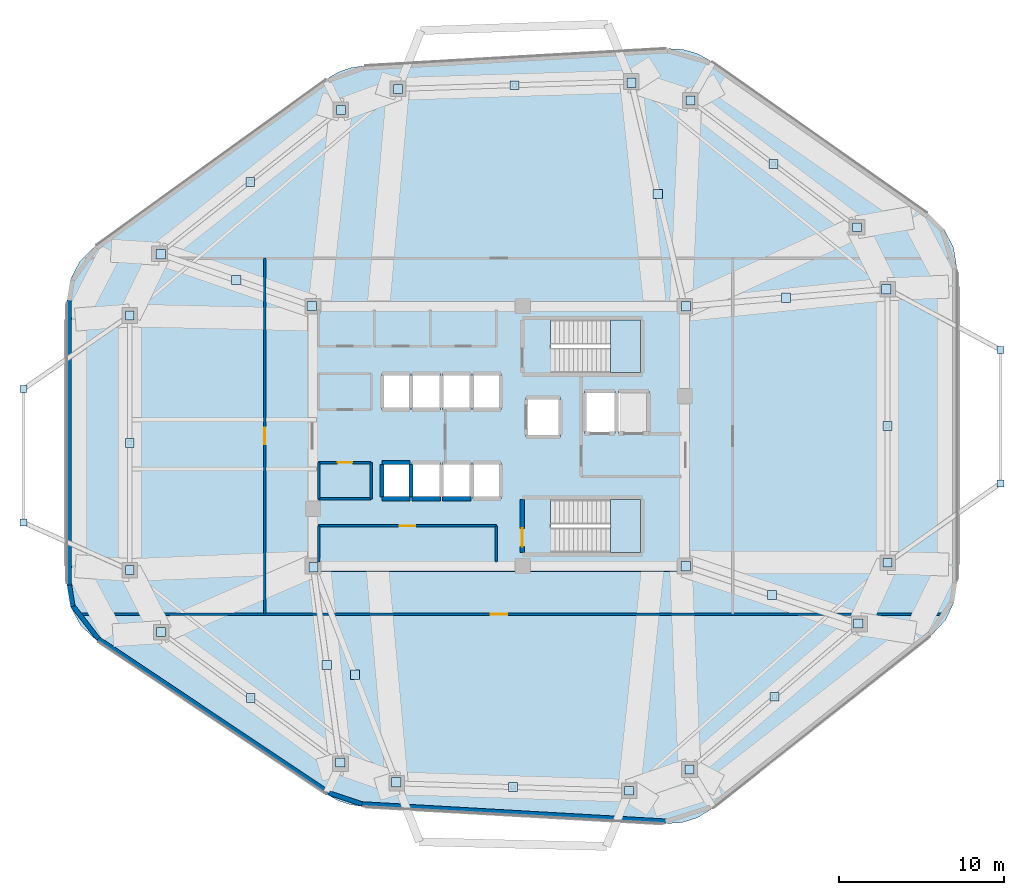
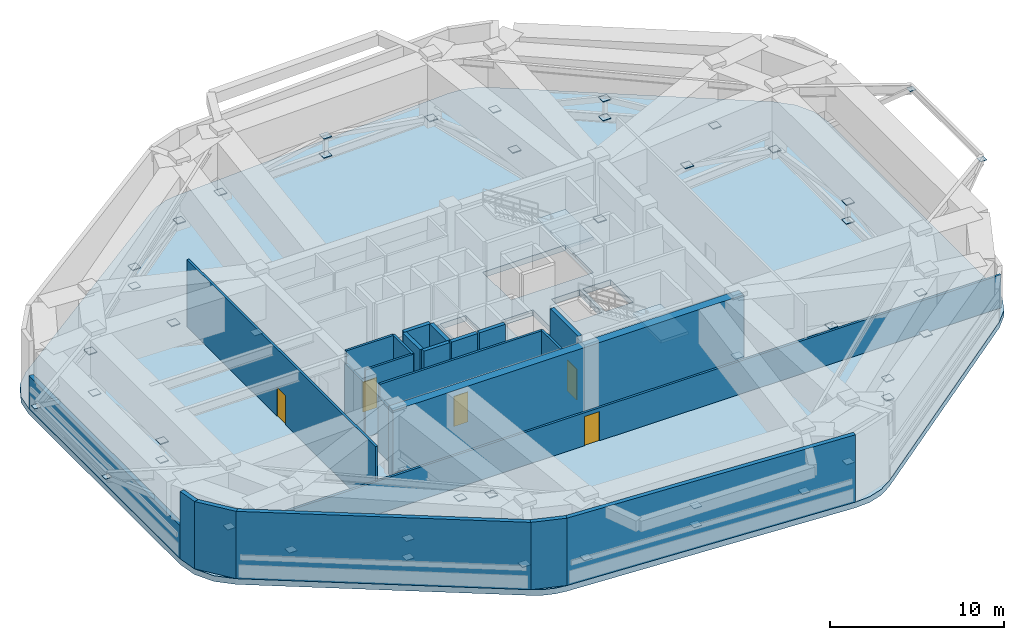
# One storey, part 7 of 13: 46 plates, 23 walls, 5 doors, 3 slabs, 5 openings, 2 elements without a shape of their own.
"""IFC4 building model written with IfcOpenShell, lengths in metres."""

from ifc_helpers import new_model, si_unit, direction, frame, frame_2d, origin, origin_2d, place, context, subcontext, project, spatial, polyline, rectangle, outline, extrude, material, layer, layer_set, type_object, element, fill, aggregate, save


model = new_model("IFC4")

# Units and contexts
model_context = context("Model", 3, precision=1e-05, world=origin(), true_north=direction((0.0, 1.0)))
body_context = subcontext(model_context, "Body", "Model", "MODEL_VIEW")
ifc_project = project(units=[si_unit("LENGTHUNIT", "METRE"), si_unit("AREAUNIT", "SQUARE_METRE"), si_unit("VOLUMEUNIT", "CUBIC_METRE"), si_unit("PLANEANGLEUNIT", "RADIAN"), si_unit("MASSUNIT", "GRAM", prefix="KILO")], contexts=[model_context])

# Site, building, storey
site_placement = place(None, origin())
site = spatial("IfcSite", under=ifc_project, at=site_placement, CompositionType="ELEMENT")
building_placement = place(site_placement, origin())
building = spatial("IfcBuilding", under=site, at=building_placement, Name="Zulverin Broadcast Headquarters", CompositionType="ELEMENT")
storey_placement = place(building_placement, frame((0.0, 0.0, 220.0)))
storey = spatial("IfcBuildingStorey", under=building, at=storey_placement, Name="L56", CompositionType="ELEMENT", Elevation=220.0)

# Plates
ifc_material_1 = material(Name="Structural steel S355JR", Category="steel")
ifc_layer_1 = layer(ifc_material_1, 0.044921875, Name="Structural steel S355JR", Category="steel")
ifc_layer_set_1 = layer_set([ifc_layer_1], Name="Structural steel S355JR")
plate_type_1 = type_object("IfcPlateType", Name="PLT-NODE-BN1", PredefinedType="SHEET", material=ifc_layer_set_1)
for number, where, z_axis, x_axis, name in (
    (1, (37.859130859375, 3.90380859375, 0.32763671875), (0.0, 0.0, 1.0), (1.0, 0.0, 0.0), "BN-1 Belt Truss Node Plate L56-01B"),
    (2, (37.859130859375, 3.90380859375, 1.657470703125), (0.0, 0.0, 1.0), (1.0, 0.0, 0.0), "BN-1 Belt Truss Node Plate L56-01T"),
    (3, (44.909912109375, 3.68017578125, 0.32763671875), (0.0, 0.0, 1.0), (1.0, 0.0, 0.0), "BN-1 Belt Truss Node Plate L56-01R"),
    (4, (48.569580078125, 4.967041015625, 0.32763671875), (0.0, 0.0, 1.0), (1.0, 0.0, 0.0), "BN-1 Belt Truss Node Plate L56-02L"),
    (5, (53.728271484375, 9.382568359375, 0.32763671875), (0.0, 0.0, 1.0), (1.0, 0.0, 0.0), "BN-1 Belt Truss Node Plate L56-02B"),
    (6, (53.728271484375, 9.382568359375, 1.657470703125), (0.0, 0.0, 1.0), (1.0, 0.0, 0.0), "BN-1 Belt Truss Node Plate L56-02T"),
    (7, (60.60009765625, 17.519287109375, 0.32763671875), (0.0, 0.0, 1.0), (1.0, 0.0, 0.0), "BN-1 Belt Truss Node Plate L56-03L"),
    (8, (60.60009765625, 25.8203125, 0.32763671875), (0.0, 0.0, 1.0), (1.0, 0.0, 0.0), "BN-1 Belt Truss Node Plate L56-03B"),
    (9, (60.60009765625, 25.8203125, 1.657470703125), (0.0, 0.0, 1.0), (1.0, 0.0, 0.0), "BN-1 Belt Truss Node Plate L56-03T"),
    (10, (58.738037109375, 37.877685546875, 0.32763671875), (0.0, 0.0, 1.0), (1.0, 0.0, 0.0), "BN-1 Belt Truss Node Plate L56-04L"),
    (11, (53.6796875, 41.726318359375, 0.32763671875), (0.0, 0.0, 1.0), (1.0, 0.0, 0.0), "BN-1 Belt Truss Node Plate L56-04B"),
    (12, (53.6796875, 41.726318359375, 1.657470703125), (0.0, 0.0, 1.0), (1.0, 0.0, 0.0), "BN-1 Belt Truss Node Plate L56-04T"),
    (13, (48.62158203125, 45.574951171875, 0.32763671875), (0.0, 0.0, 1.0), (1.0, 0.0, 0.0), "BN-1 Belt Truss Node Plate L56-04R"),
    (14, (37.954833984375, 46.499267578125, 0.32763671875), (0.0, 0.0, 1.0), (1.0, 0.0, 0.0), "BN-1 Belt Truss Node Plate L56-05B"),
    (15, (37.954833984375, 46.499267578125, 1.657470703125), (0.0, 0.0, 1.0), (1.0, 0.0, 0.0), "BN-1 Belt Truss Node Plate L56-05T"),
    (16, (30.882080078125, 46.27490234375, 0.32763671875), (0.0, 0.0, 1.0), (1.0, 0.0, 0.0), "BN-1 Belt Truss Node Plate L56-05R"),
    (17, (27.416259765625, 45.00439453125, 0.32763671875), (0.0, 0.0, 1.0), (1.0, 0.0, 0.0), "BN-1 Belt Truss Node Plate L56-06L"),
    (18, (21.91259765625, 40.63623046875, 0.32763671875), (0.0, 0.0, 1.0), (1.0, 0.0, 0.0), "BN-1 Belt Truss Node Plate L56-06B"),
    (19, (21.91259765625, 40.63623046875, 1.657470703125), (0.0, 0.0, 1.0), (1.0, 0.0, 0.0), "BN-1 Belt Truss Node Plate L56-06T"),
    (20, (14.60009765625, 32.523193359375, 0.32763671875), (0.0, 0.0, 1.0), (1.0, 0.0, 0.0), "BN-1 Belt Truss Node Plate L56-07L"),
    (21, (14.60009765625, 24.797607421875, 0.32763671875), (0.0, 0.0, 1.0), (1.0, 0.0, 0.0), "BN-1 Belt Truss Node Plate L56-07B"),
    (22, (14.60009765625, 24.797607421875, 1.657470703125), (0.0, 0.0, 1.0), (1.0, 0.0, 0.0), "BN-1 Belt Truss Node Plate L56-07T"),
    (23, (14.60009765625, 17.072021484375, 0.32763671875), (0.0, 0.0, 1.0), (1.0, 0.0, 0.0), "BN-1 Belt Truss Node Plate L56-07R"),
    (24, (16.50537109375, 13.306884765625, 0.32763671875), (0.0, 0.0, 1.0), (1.0, 0.0, 0.0), "BN-1 Belt Truss Node Plate L56-08L"),
    (25, (21.9462890625, 9.30859375, 0.32763671875), (0.0, 0.0, 1.0), (1.0, 0.0, 0.0), "BN-1 Belt Truss Node Plate L56-08B"),
    (26, (21.9462890625, 9.30859375, 1.657470703125), (0.0, 0.0, 1.0), (1.0, 0.0, 0.0), "BN-1 Belt Truss Node Plate L56-08T"),
):
    element("IfcPlate", number, at=place(storey_placement, frame(where, z_axis=z_axis, x_axis=x_axis)), inside=storey, type_object=plate_type_1, Name=name, PredefinedType="SHEET", context=body_context, shape_type="SweptSolid", body=[
        extrude(rectangle(XDim=0.5400390625, YDim=0.5400390625, at=origin_2d()), origin(), (0.0, 0.0, 1.0), 0.044921875),
    ])
ifc_material_2 = material(Name="Structural steel S460M", Category="steel")
ifc_layer_2 = layer(ifc_material_2, 0.044921875, Name="Structural steel S460M", Category="steel")
ifc_layer_set_2 = layer_set([ifc_layer_2], Name="Structural steel S460M")
plate_type_2 = type_object("IfcPlateType", Name="PLT-NODE-ON1", PredefinedType="SHEET", material=ifc_layer_set_2)
for number, where, z_axis, x_axis, name in (
    (27, (25.75390625, 17.250244140625, 0.32763671875), (0.0, 0.0, 1.0), (1.0, 0.0, 0.0), "ON-1 Outrigger Truss Node Plate L56-01A"),
    (28, (28.266845703125, 10.726318359375, 1.657470703125), (0.0, 0.0, 1.0), (1.0, 0.0, 0.0), "ON-1 Outrigger Truss Node Plate L56-01M"),
    (29, (30.77978515625, 4.2021484375, 0.32763671875), (0.0, 0.0, 1.0), (1.0, 0.0, 0.0), "ON-1 Outrigger Truss Node Plate L56-01B"),
    (30, (48.350830078125, 17.2998046875, 0.32763671875), (0.0, 0.0, 1.0), (1.0, 0.0, 0.0), "ON-1 Outrigger Truss Node Plate L56-02A"),
    (31, (53.5810546875, 15.5615234375, 1.657470703125), (0.0, 0.0, 1.0), (1.0, 0.0, 0.0), "ON-1 Outrigger Truss Node Plate L56-02M"),
    (32, (58.81103515625, 13.823486328125, 0.32763671875), (0.0, 0.0, 1.0), (1.0, 0.0, 0.0), "ON-1 Outrigger Truss Node Plate L56-02B"),
    (33, (48.354736328125, 33.081787109375, 0.32763671875), (0.0, 0.0, 1.0), (1.0, 0.0, 0.0), "ON-1 Outrigger Truss Node Plate L56-03A"),
    (34, (54.4375, 33.598388671875, 1.657470703125), (0.0, 0.0, 1.0), (1.0, 0.0, 0.0), "ON-1 Outrigger Truss Node Plate L56-03M"),
    (35, (60.520263671875, 34.11474609375, 0.32763671875), (0.0, 0.0, 1.0), (1.0, 0.0, 0.0), "ON-1 Outrigger Truss Node Plate L56-03B"),
    (36, (46.6513671875, 39.8994140625, 1.657470703125), (0.0, 0.0, 1.0), (1.0, 0.0, 0.0), "ON-1 Outrigger Truss Node Plate L56-04M"),
    (37, (45.0458984375, 46.645751953125, 0.32763671875), (0.0, 0.0, 1.0), (1.0, 0.0, 0.0), "ON-1 Outrigger Truss Node Plate L56-04B"),
    (38, (25.6494140625, 33.100830078125, 0.32763671875), (0.0, 0.0, 1.0), (1.0, 0.0, 0.0), "ON-1 Outrigger Truss Node Plate L56-05A"),
    (39, (21.06689453125, 34.67138671875, 1.657470703125), (0.0, 0.0, 1.0), (1.0, 0.0, 0.0), "ON-1 Outrigger Truss Node Plate L56-05M"),
    (40, (16.484619140625, 36.2421875, 0.32763671875), (0.0, 0.0, 1.0), (1.0, 0.0, 0.0), "ON-1 Outrigger Truss Node Plate L56-05B"),
    (41, (26.55615234375, 11.3173828125, 1.657470703125), (0.0, 0.0, 1.0), (1.0, 0.0, 0.0), "ON-1 Outrigger Truss Node Plate L56-06M"),
    (42, (27.376220703125, 5.38916015625, 0.32763671875), (0.0, 0.0, 1.0), (1.0, 0.0, 0.0), "ON-1 Outrigger Truss Node Plate L56-06B"),
):
    element("IfcPlate", number, at=place(storey_placement, frame(where, z_axis=z_axis, x_axis=x_axis)), inside=storey, type_object=plate_type_2, Name=name, PredefinedType="SHEET", context=body_context, shape_type="SweptSolid", body=[
        extrude(rectangle(XDim=0.56005859375, YDim=0.56005859375, at=origin_2d()), origin(), (0.0, 0.0, 1.0), 0.044921875),
    ])
ifc_layer_3 = layer(ifc_material_1, 0.02490234375, Name="Structural steel S355JR", Category="steel")
ifc_layer_set_3 = layer_set([ifc_layer_3], Name="Structural steel S355JR")
plate_type_3 = type_object("IfcPlateType", Name="PLT-NODE-SBN1", PredefinedType="SHEET", material=ifc_layer_set_3)
for number, where, z_axis, x_axis, name in (
    (43, (67.449951171875, 22.340087890625, 4.34765625), (0.0, 0.0, 1.0), (1.0, 0.0, 0.0), "SBN-1 Studio Box Base Gusset Plate L56-SBOX_SKY2_E-1"),
    (44, (67.449951171875, 30.43994140625, 4.34765625), (0.0, 0.0, 1.0), (1.0, 0.0, 0.0), "SBN-1 Studio Box Base Gusset Plate L56-SBOX_SKY2_E-2"),
    (45, (8.14990234375, 19.9599609375, 4.34765625), (0.0, 0.0, 1.0), (1.0, 0.0, 0.0), "SBN-1 Studio Box Base Gusset Plate L56-SBOX_SKY2_W-1"),
    (46, (8.14990234375, 28.06005859375, 4.34765625), (0.0, 0.0, 1.0), (1.0, 0.0, 0.0), "SBN-1 Studio Box Base Gusset Plate L56-SBOX_SKY2_W-2"),
):
    element("IfcPlate", number, at=place(storey_placement, frame(where, z_axis=z_axis, x_axis=x_axis)), inside=storey, type_object=plate_type_3, Name=name, PredefinedType="SHEET", context=body_context, shape_type="SweptSolid", body=[
        extrude(rectangle(XDim=0.419921875, YDim=0.419921875, at=origin_2d()), origin(), (0.0, 0.0, 1.0), 0.02490234375),
    ])

# Stair, slab
ifc_material_3 = material(Name="Concrete C40/50", Category="concrete")
stair_type = type_object("IfcStairType", Name="ST-CORE-1500", PredefinedType="HALF_TURN_STAIR", material=ifc_material_3)
stair_1_placement = place(storey_placement, origin())
stair_1 = element("IfcStair", 47, at=stair_1_placement, inside=storey, type_object=stair_type, Name="L56 Core Exit Stair ST-1", PredefinedType="HALF_TURN_STAIR")
ifc_layer_4 = layer(ifc_material_3, 0.199951171875, Name="Concrete C40/50", Category="concrete")
ifc_layer_set_4 = layer_set([ifc_layer_4], Name="Concrete C40/50")
slab_type_1 = type_object("IfcSlabType", Name="SLB-ST-LND200", PredefinedType="LANDING", material=ifc_layer_set_4)
slab_1_placement = place(storey_placement, frame((0.0, 0.0, 2.300048828125)))
slab_1 = element("IfcSlab", 48, at=slab_1_placement, type_object=slab_type_1, Name="ST-1 landing 1", PredefinedType="LANDING", context=body_context, shape_type="SweptSolid", body=[
    extrude(outline(polyline([(43.77001953125, 29.050048828125), (45.60009765625, 29.050048828125), (45.60009765625, 32.25), (43.77001953125, 32.25), (43.77001953125, 29.050048828125)])), origin(), (0.0, 0.0, 1.0), 0.199951171875),
])
aggregate(stair_1, [slab_1])

stair_2_placement = place(storey_placement, origin())
stair_2 = element("IfcStair", 49, at=stair_2_placement, inside=storey, type_object=stair_type, Name="L56 Core Exit Stair ST-2", PredefinedType="HALF_TURN_STAIR")
slab_2_placement = place(storey_placement, frame((0.0, 0.0, 2.300048828125)))
slab_2 = element("IfcSlab", 50, at=slab_2_placement, type_object=slab_type_1, Name="ST-2 landing 1", PredefinedType="LANDING", context=body_context, shape_type="SweptSolid", body=[
    extrude(outline(polyline([(43.77001953125, 18.14990234375), (45.60009765625, 18.14990234375), (45.60009765625, 21.35009765625), (43.77001953125, 21.35009765625), (43.77001953125, 18.14990234375)])), origin(), (0.0, 0.0, 1.0), 0.199951171875),
])
aggregate(stair_2, [slab_2])

# Slab
ifc_material_4 = material(Name="Concrete C50/60", Category="concrete")
ifc_layer_5 = layer(ifc_material_4, 0.39990234375, Name="Concrete C50/60", Category="concrete")
ifc_layer_set_5 = layer_set([ifc_layer_5], Name="Concrete C50/60")
slab_type_2 = type_object("IfcSlabType", Name="SLB-TRN-400", PredefinedType="FLOOR", material=ifc_layer_set_5)
slab_3_placement = place(storey_placement, frame((0.0, 0.0, -0.39990234375)))
element("IfcSlab", 51, at=slab_3_placement, inside=storey, type_object=slab_type_2, Name="L56 Main Structural Floor Slab", PredefinedType="FLOOR", context=body_context, shape_type="SweptSolid", body=[
    extrude(outline(polyline([(26.66162109375, 3.405517578125), (27.283203125, 3.065673828125), (27.955078125, 2.8408203125), (28.65625, 2.738037109375), (47.159912109375, 1.686279296875), (48.123046875, 1.748046875), (49.04345703125, 2.038818359375), (49.8671875, 2.54150390625), (63.2802734375, 13.142822265625), (64.098388671875, 14.018310546875), (64.62060546875, 15.096435546875), (64.800048828125, 16.281005859375), (64.800048828125, 35.393798828125), (64.59765625, 36.64990234375), (64.010986328125, 37.779052734375), (63.099609375, 38.666748046875), (49.81396484375, 48.00048828125), (49.032958984375, 48.427978515625), (48.176513671875, 48.67236328125), (47.28759765625, 48.72119140625), (28.73388671875, 47.666259765625), (27.986328125, 47.552001953125), (27.2734375, 47.29931640625), (26.620849609375, 46.916748046875), (12.459716796875, 36.701416015625), (11.5693359375, 35.81591796875), (10.997314453125, 34.69775390625), (10.800048828125, 33.457275390625), (10.800048828125, 16.138427734375), (11.012451171875, 14.8525390625), (11.626953125, 13.703125), (12.578369140625, 12.812255859375), (26.66162109375, 3.405517578125)]), holes=[polyline([(40.155029296875, 30.75), (40.130126953125, 30.75), (40.130126953125, 32.25), (45.60009765625, 32.25), (45.60009765625, 29.050048828125), (40.155029296875, 29.050048828125), (40.155029296875, 30.75)]), polyline([(40.155029296875, 19.85009765625), (40.130126953125, 19.85009765625), (40.130126953125, 21.35009765625), (45.60009765625, 21.35009765625), (45.60009765625, 18.14990234375), (40.155029296875, 18.14990234375), (40.155029296875, 19.85009765625)]), polyline([(29.89990234375, 21.39990234375), (31.6201171875, 21.39990234375), (31.6201171875, 23.60009765625), (29.89990234375, 23.60009765625), (29.89990234375, 21.39990234375)]), polyline([(31.739990234375, 21.39990234375), (33.4599609375, 21.39990234375), (33.4599609375, 23.60009765625), (31.739990234375, 23.60009765625), (31.739990234375, 21.39990234375)]), polyline([(33.580078125, 21.39990234375), (35.300048828125, 21.39990234375), (35.300048828125, 23.60009765625), (33.580078125, 23.60009765625), (33.580078125, 21.39990234375)]), polyline([(35.419921875, 21.39990234375), (37.139892578125, 21.39990234375), (37.139892578125, 23.60009765625), (35.419921875, 23.60009765625), (35.419921875, 21.39990234375)]), polyline([(29.89990234375, 26.800048828125), (31.6201171875, 26.800048828125), (31.6201171875, 29.0), (29.89990234375, 29.0), (29.89990234375, 26.800048828125)]), polyline([(31.739990234375, 26.800048828125), (33.4599609375, 26.800048828125), (33.4599609375, 29.0), (31.739990234375, 29.0), (31.739990234375, 26.800048828125)]), polyline([(33.580078125, 26.800048828125), (35.300048828125, 26.800048828125), (35.300048828125, 29.0), (33.580078125, 29.0), (33.580078125, 26.800048828125)]), polyline([(35.419921875, 26.800048828125), (37.139892578125, 26.800048828125), (37.139892578125, 29.0), (35.419921875, 29.0), (35.419921875, 26.800048828125)]), polyline([(42.199951171875, 25.35009765625), (44.050048828125, 25.35009765625), (44.050048828125, 27.949951171875), (42.199951171875, 27.949951171875), (42.199951171875, 25.35009765625)]), polyline([(44.25, 25.35009765625), (46.10009765625, 25.35009765625), (46.10009765625, 27.949951171875), (44.25, 27.949951171875), (44.25, 25.35009765625)]), polyline([(38.64990234375, 25.14990234375), (40.75, 25.14990234375), (40.75, 27.550048828125), (38.64990234375, 27.550048828125), (38.64990234375, 25.14990234375)])]), origin(), (0.0, 0.0, 1.0), 0.39990234375),
])

# Walls
ifc_material_5 = material(Name="Concrete C60/75", Category="concrete")
ifc_layer_6 = layer(ifc_material_5, 0.550048828125, Name="Concrete C60/75", Category="concrete")
ifc_layer_set_6 = layer_set([ifc_layer_6], Name="Concrete C60/75")
wall_type_1 = type_object("IfcWallType", Name="WL-CORE-550", PredefinedType="SHEAR", material=ifc_layer_set_6)
wall_1_placement = place(storey_placement, frame((25.39990234375, 17.27490234375, 0.0), z_axis=(0.0, 0.0, 1.0), x_axis=(1.0, 0.0, 0.0)))
element("IfcWall", 52, at=wall_1_placement, inside=storey, type_object=wall_type_1, Name="L56 Core South Shear Wall", PredefinedType="SHEAR", context=body_context, shape_type="SweptSolid", body=[
    extrude(rectangle(XDim=23.2001953125, YDim=0.550048828125, at=frame_2d((11.60009765625, 0.0))), origin(), (0.0, 0.0, 1.0), 4.7099609375),
])
ifc_material_6 = material(Name="Insulated pale-metal clad concrete spandrel C40/50", Category="concrete")
ifc_layer_7 = layer(ifc_material_6, 0.280029296875, Name="Insulated pale-metal clad concrete spandrel C40/50", Category="concrete")
ifc_layer_set_7 = layer_set([ifc_layer_7], Name="Insulated pale-metal clad concrete spandrel C40/50")
wall_type_2 = type_object("IfcWallType", Name="WL-EXT-280", PredefinedType="STANDARD", material=ifc_layer_set_7)
wall_2_placement = place(storey_placement, frame((28.664306640625, 2.8779296875, 0.0), z_axis=(0.0, 0.0, 1.0), x_axis=(0.998387734977, -0.056762052882, 0.0)))
element("IfcWall", 53, at=wall_2_placement, inside=storey, type_object=wall_type_2, Name="L56 Pale-Metal Clad Spandrel Wall 1", PredefinedType="STANDARD", context=body_context, shape_type="SweptSolid", body=[
    extrude(rectangle(XDim=18.533447265625, YDim=0.280029296875, at=frame_2d((9.2666015625, 0.0))), origin(), (0.0, 0.0, 1.0), 4.7099609375),
])
wall_3_placement = place(storey_placement, frame((10.93994140625, 33.457275390625, 0.0), z_axis=(0.0, 0.0, 1.0), x_axis=(0.0, -1.0, 0.0)))
element("IfcWall", 54, at=wall_3_placement, inside=storey, type_object=wall_type_2, Name="L56 Pale-Metal Clad Spandrel Wall 7", PredefinedType="STANDARD", context=body_context, shape_type="SweptSolid", body=[
    extrude(rectangle(XDim=17.31884765625, YDim=0.280029296875, at=frame_2d((8.659423828125, 0.0))), origin(), (0.0, 0.0, 1.0), 2.31005859375),
])
wall_4_placement = place(storey_placement, frame((12.656005859375, 12.9287109375, 0.0), z_axis=(0.0, 0.0, 1.0), x_axis=(0.83155985002, -0.555435158983, 0.0)))
element("IfcWall", 55, at=wall_4_placement, inside=storey, type_object=wall_type_2, Name="L56 Pale-Metal Clad Spandrel Wall 8", PredefinedType="STANDARD", context=body_context, shape_type="SweptSolid", body=[
    extrude(rectangle(XDim=16.936279296875, YDim=0.280029296875, at=frame_2d((8.46826171875, 0.0))), origin(), (0.0, 0.0, 1.0), 4.7099609375),
])
wall_5_placement = place(storey_placement, frame((10.93798828125, 16.161376953125, 0.0), z_axis=(0.0, 0.0, 1.0), x_axis=(0.162940994575, -0.986635815429, 0.0)))
element("IfcWall", 56, at=wall_5_placement, inside=storey, type_object=wall_type_2, Name="L56 Wind-Shaped Corner Spandrel Wall 7-1", PredefinedType="STANDARD", context=body_context, shape_type="SweptSolid", body=[
    extrude(rectangle(XDim=1.303466796875, YDim=0.280029296875, at=frame_2d((0.65185546875, 0.0))), origin(), (0.0, 0.0, 1.0), 4.7099609375),
])
wall_6_placement = place(storey_placement, frame((11.12353515625, 14.937744140625, 0.0), z_axis=(0.0, 0.0, 1.0), x_axis=(0.608847960063, -0.79328693518, 0.0)))
element("IfcWall", 57, at=wall_6_placement, inside=storey, type_object=wall_type_2, Name="L56 Wind-Shaped Corner Spandrel Wall 7-2", PredefinedType="STANDARD", context=body_context, shape_type="SweptSolid", body=[
    extrude(rectangle(XDim=2.572021484375, YDim=0.280029296875, at=frame_2d((1.2861328125, 0.0))), origin(), (0.0, 0.0, 1.0), 4.7099609375),
])
wall_7_placement = place(storey_placement, frame((26.7060546875, 3.5380859375, 0.0), z_axis=(0.0, 0.0, 1.0), x_axis=(0.9483461383, -0.317237453608, 0.0)))
element("IfcWall", 58, at=wall_7_placement, inside=storey, type_object=wall_type_2, Name="L56 Wind-Shaped Corner Spandrel Wall 8-1", PredefinedType="STANDARD", context=body_context, shape_type="SweptSolid", body=[
    extrude(rectangle(XDim=2.103271484375, YDim=0.280029296875, at=frame_2d((1.0517578125, 0.0))), origin(), (0.0, 0.0, 1.0), 4.7099609375),
])

# Wall, opening, door
ifc_material_7 = material(Name="Fire-rated gypsum stud partition", Category="gypsum")
ifc_layer_8 = layer(ifc_material_7, 0.14990234375, Name="Fire-rated gypsum stud partition", Category="gypsum")
ifc_layer_set_8 = layer_set([ifc_layer_8], Name="Fire-rated gypsum stud partition")
wall_type_3 = type_object("IfcWallType", Name="WL-PART-150", PredefinedType="PARTITIONING", material=ifc_layer_set_8)
wall_8_placement = place(storey_placement, frame((26.070068359375, 19.75, 0.0), z_axis=(0.0, 0.0, 1.0), x_axis=(1.0, 0.0, 0.0)))
wall_8 = element("IfcWall", 59, at=wall_8_placement, inside=storey, type_object=wall_type_3, Name="L56 Core Female WC & Facilities Room Front Wall", PredefinedType="PARTITIONING", context=body_context, shape_type="SweptSolid", body=[
    extrude(rectangle(XDim=10.780029296875, YDim=0.14990234375, at=frame_2d((5.39013671875, 0.0))), origin(), (0.0, 0.0, 1.0), 4.7099609375),
])
opening_1_placement = place(wall_8_placement, frame((4.9150390625, 0.0, 0.0)))
opening_1 = element("IfcOpeningElement", 60, at=opening_1_placement, cuts=wall_8, Name="Opening D-L56-SC1", PredefinedType="OPENING", context=body_context, shape_type="SweptSolid", body=[
    extrude(rectangle(XDim=0.949951171875, YDim=2.10009765625, at=frame_2d((0.47509765625, 1.050048828125))), frame((0.0, 0.0849609375, 0.0), z_axis=(0.0, -1.0, 0.0), x_axis=(1.0, 0.0, 0.0)), (0.0, 0.0, 1.0), 0.169921875),
])
ifc_material_8 = material(Name="Fire-rated moisture-resistant laminate leaf", Category="wood")
door_type_1 = type_object("IfcDoorType", Name="DR-WC-950", OperationType="SINGLE_SWING_LEFT", PredefinedType="DOOR", material=ifc_material_8)
door_1_placement = place(opening_1_placement, origin())
door_1 = element("IfcDoor", 61, at=door_1_placement, inside=storey, type_object=door_type_1, Name="L56 Female WC & Facilities Room Door", OperationType="SINGLE_SWING_RIGHT", OverallHeight=2.10009765625, OverallWidth=0.949951171875, PredefinedType="DOOR", context=body_context, shape_type="SweptSolid", body=[
    extrude(rectangle(XDim=0.949951171875, YDim=2.10009765625, at=frame_2d((0.47509765625, 1.050048828125))), frame((0.0, 0.02490234375, 0.0), z_axis=(0.0, -1.0, 0.0), x_axis=(1.0, 0.0, 0.0)), (0.0, 0.0, 1.0), 0.050048828125),
])
fill(opening_1, door_1)

# Walls
wall_9_placement = place(storey_placement, frame((26.070068359375, 17.550048828125, 0.0), z_axis=(0.0, 0.0, 1.0), x_axis=(0.0, 1.0, 0.0)))
element("IfcWall", 62, at=wall_9_placement, inside=storey, type_object=wall_type_3, Name="L56 Core Female WC & Facilities Room West Wall", PredefinedType="PARTITIONING", context=body_context, shape_type="SweptSolid", body=[
    extrude(rectangle(XDim=2.199951171875, YDim=0.14990234375, at=frame_2d((1.10009765625, 0.0))), origin(), (0.0, 0.0, 1.0), 3.81005859375),
])
wall_10_placement = place(storey_placement, frame((36.85009765625, 17.550048828125, 0.0), z_axis=(0.0, 0.0, 1.0), x_axis=(0.0, 1.0, 0.0)))
element("IfcWall", 63, at=wall_10_placement, inside=storey, type_object=wall_type_3, Name="L56 Core Female WC & Facilities Room East Wall", PredefinedType="PARTITIONING", context=body_context, shape_type="SweptSolid", body=[
    extrude(rectangle(XDim=2.199951171875, YDim=0.14990234375, at=frame_2d((1.10009765625, 0.0))), origin(), (0.0, 0.0, 1.0), 4.7099609375),
])
wall_11_placement = place(storey_placement, frame((26.070068359375, 21.39990234375, 0.0), z_axis=(0.0, 0.0, 1.0), x_axis=(1.0, 0.0, 0.0)))
element("IfcWall", 64, at=wall_11_placement, inside=storey, type_object=wall_type_3, Name="L56 Media Ingestion Server Room S Wall", PredefinedType="PARTITIONING", context=body_context, shape_type="SweptSolid", body=[
    extrude(rectangle(XDim=3.179931640625, YDim=0.14990234375, at=frame_2d((1.58984375, 0.0))), origin(), (0.0, 0.0, 1.0), 4.7099609375),
])

# Wall, opening, door
wall_12_placement = place(storey_placement, frame((26.070068359375, 23.60009765625, 0.0), z_axis=(0.0, 0.0, 1.0), x_axis=(1.0, 0.0, 0.0)))
wall_12 = element("IfcWall", 65, at=wall_12_placement, inside=storey, type_object=wall_type_3, Name="L56 Media Ingestion Server Room N Wall", PredefinedType="PARTITIONING", context=body_context, shape_type="SweptSolid", body=[
    extrude(rectangle(XDim=3.179931640625, YDim=0.14990234375, at=frame_2d((1.58984375, 0.0))), origin(), (0.0, 0.0, 1.0), 4.7099609375),
])
opening_2_placement = place(wall_12_placement, frame((1.139892578125, 0.0, 0.0)))
opening_2 = element("IfcOpeningElement", 66, at=opening_2_placement, cuts=wall_12, Name="Opening D-L56-RCLS", PredefinedType="OPENING", context=body_context, shape_type="SweptSolid", body=[
    extrude(rectangle(XDim=0.89990234375, YDim=2.10009765625, at=frame_2d((0.449951171875, 1.050048828125))), frame((0.0, 0.0849609375, 0.0), z_axis=(0.0, -1.0, 0.0), x_axis=(1.0, 0.0, 0.0)), (0.0, 0.0, 1.0), 0.169921875),
])
ifc_material_9 = material(Name="Powder-coated steel access leaf", Category="steel")
door_type_2 = type_object("IfcDoorType", Name="DR-RISER-900", OperationType="SINGLE_SWING_LEFT", PredefinedType="DOOR", material=ifc_material_9)
door_2_placement = place(opening_2_placement, origin())
door_2 = element("IfcDoor", 67, at=door_2_placement, inside=storey, type_object=door_type_2, Name="L56 Media Ingestion Server Room Door", OperationType="SINGLE_SWING_RIGHT", OverallHeight=2.10009765625, OverallWidth=0.89990234375, PredefinedType="DOOR", context=body_context, shape_type="SweptSolid", body=[
    extrude(rectangle(XDim=0.89990234375, YDim=2.10009765625, at=frame_2d((0.449951171875, 1.050048828125))), frame((0.0, 0.02490234375, 0.0), z_axis=(0.0, -1.0, 0.0), x_axis=(1.0, 0.0, 0.0)), (0.0, 0.0, 1.0), 0.050048828125),
])
fill(opening_2, door_2)

# Walls
wall_13_placement = place(storey_placement, frame((26.070068359375, 21.39990234375, 0.0), z_axis=(0.0, 0.0, 1.0), x_axis=(0.0, 1.0, 0.0)))
element("IfcWall", 68, at=wall_13_placement, inside=storey, type_object=wall_type_3, Name="L56 Media Ingestion Server Room W Wall", PredefinedType="PARTITIONING", context=body_context, shape_type="SweptSolid", body=[
    extrude(rectangle(XDim=2.2001953125, YDim=0.14990234375, at=frame_2d((1.10009765625, 0.0))), origin(), (0.0, 0.0, 1.0), 3.81005859375),
])
wall_14_placement = place(storey_placement, frame((29.25, 21.39990234375, 0.0), z_axis=(0.0, 0.0, 1.0), x_axis=(0.0, 1.0, 0.0)))
element("IfcWall", 69, at=wall_14_placement, inside=storey, type_object=wall_type_3, Name="L56 Media Ingestion Server Room E Wall", PredefinedType="PARTITIONING", context=body_context, shape_type="SweptSolid", body=[
    extrude(rectangle(XDim=2.2001953125, YDim=0.14990234375, at=frame_2d((1.10009765625, 0.0))), origin(), (0.0, 0.0, 1.0), 4.7099609375),
])

# Wall, opening, door
wall_15_placement = place(storey_placement, frame((22.800048828125, 14.39990234375, 0.0), z_axis=(0.0, 0.0, 1.0), x_axis=(0.0, 1.0, 0.0)))
wall_15 = element("IfcWall", 70, at=wall_15_placement, inside=storey, type_object=wall_type_3, Name="L56 Gallery Partition Wall CG-02", PredefinedType="PARTITIONING", context=body_context, shape_type="SweptSolid", body=[
    extrude(rectangle(XDim=21.60009765625, YDim=0.14990234375, at=frame_2d((10.800048828125, 0.0))), origin(), (0.0, 0.0, 1.0), 4.7099609375),
])
opening_3_placement = place(wall_15_placement, frame((10.300048828125, 0.0, 0.0)))
opening_3 = element("IfcOpeningElement", 71, at=opening_3_placement, cuts=wall_15, Name="Opening D-L56-ELE", PredefinedType="OPENING", context=body_context, shape_type="SweptSolid", body=[
    extrude(rectangle(XDim=1.0, YDim=2.0400390625, at=frame_2d((0.5, 1.02001953125))), frame((0.0, 0.0849609375, 0.0), z_axis=(0.0, -1.0, 0.0), x_axis=(1.0, 0.0, 0.0)), (0.0, 0.0, 1.0), 0.169921875),
])
ifc_material_10 = material(Name="Fire-rated steel plant room leaf", Category="steel")
door_type_3 = type_object("IfcDoorType", Name="DR-PLT-2040", OperationType="SINGLE_SWING_LEFT", PredefinedType="DOOR", material=ifc_material_10)
door_3_placement = place(opening_3_placement, origin())
door_3 = element("IfcDoor", 72, at=door_3_placement, inside=storey, type_object=door_type_3, Name="L56 High-Voltage Transformer & UPS Plant Room Door", OperationType="SINGLE_SWING_RIGHT", OverallHeight=2.0400390625, OverallWidth=1.0, PredefinedType="DOOR", context=body_context, shape_type="SweptSolid", body=[
    extrude(rectangle(XDim=1.0, YDim=2.0400390625, at=frame_2d((0.5, 1.02001953125))), frame((0.0, 0.02490234375, 0.0), z_axis=(0.0, -1.0, 0.0), x_axis=(1.0, 0.0, 0.0)), (0.0, 0.0, 1.0), 0.050048828125),
])
fill(opening_3, door_3)

wall_16_placement = place(storey_placement, frame((11.459228515625, 14.39990234375, 0.0), z_axis=(0.0, 0.0, 1.0), x_axis=(1.0, 0.0, 0.0)))
wall_16 = element("IfcWall", 73, at=wall_16_placement, inside=storey, type_object=wall_type_3, Name="L56 Gallery Partition Wall CG-03", PredefinedType="PARTITIONING", context=body_context, shape_type="SweptSolid", body=[
    extrude(rectangle(XDim=52.619140625, YDim=0.14990234375, at=frame_2d((26.3095703125, 0.0))), origin(), (0.0, 0.0, 1.0), 2.31005859375),
])
opening_4_placement = place(wall_16_placement, frame((25.040771484375, 0.0, 0.0)))
opening_4 = element("IfcOpeningElement", 74, at=opening_4_placement, cuts=wall_16, Name="Opening D-L56-PUM", PredefinedType="OPENING", context=body_context, shape_type="SweptSolid", body=[
    extrude(rectangle(XDim=1.0, YDim=2.0400390625, at=frame_2d((0.5, 1.02001953125))), frame((0.0, 0.0849609375, 0.0), z_axis=(0.0, -1.0, 0.0), x_axis=(1.0, 0.0, 0.0)), (0.0, 0.0, 1.0), 0.169921875),
])
door_4_placement = place(opening_4_placement, origin())
door_4 = element("IfcDoor", 75, at=door_4_placement, inside=storey, type_object=door_type_3, Name="L56 Chilled Water & Fire Booster Pump Plant Room Door", OperationType="SINGLE_SWING_LEFT", OverallHeight=2.0400390625, OverallWidth=1.0, PredefinedType="DOOR", context=body_context, shape_type="SweptSolid", body=[
    extrude(rectangle(XDim=1.0, YDim=2.0400390625, at=frame_2d((0.5, 1.02001953125))), frame((0.0, 0.02490234375, 0.0), z_axis=(0.0, -1.0, 0.0), x_axis=(1.0, 0.0, 0.0)), (0.0, 0.0, 1.0), 0.050048828125),
])
fill(opening_4, door_4)

ifc_layer_9 = layer(ifc_material_4, 0.25, Name="Concrete C50/60", Category="concrete")
ifc_layer_set_9 = layer_set([ifc_layer_9], Name="Concrete C50/60")
wall_type_4 = type_object("IfcWallType", Name="WL-SHAFT-250", PredefinedType="SHEAR", material=ifc_layer_set_9)
wall_17_placement = place(storey_placement, frame((38.425048828125, 18.14990234375, 0.0), z_axis=(0.0, 0.0, 1.0), x_axis=(0.0, 1.0, 0.0)))
wall_17 = element("IfcWall", 76, at=wall_17_placement, inside=storey, type_object=wall_type_4, Name="L56 ST-2 Enclosure Wall W", PredefinedType="SHEAR", context=body_context, shape_type="SweptSolid", body=[
    extrude(rectangle(XDim=3.2001953125, YDim=0.25, at=frame_2d((1.60009765625, 0.0))), origin(), (0.0, 0.0, 1.0), 4.7099609375),
])
opening_5_placement = place(wall_17_placement, frame((0.35009765625, 0.0, 0.0)))
opening_5 = element("IfcOpeningElement", 77, at=opening_5_placement, cuts=wall_17, Name="Opening D-L56-ST-2", PredefinedType="OPENING", context=body_context, shape_type="SweptSolid", body=[
    extrude(rectangle(XDim=1.10009765625, YDim=2.14990234375, at=frame_2d((0.550048828125, 1.074951171875))), frame((0.0, 0.135009765625, 0.0), z_axis=(0.0, -1.0, 0.0), x_axis=(1.0, 0.0, 0.0)), (0.0, 0.0, 1.0), 0.27001953125),
])
ifc_material_11 = material(Name="Fire-rated steel leaf and frame", Category="steel")
door_type_4 = type_object("IfcDoorType", Name="DR-STAIR-1100", OperationType="SINGLE_SWING_LEFT", PredefinedType="DOOR", material=ifc_material_11)
door_5_placement = place(opening_5_placement, origin())
door_5 = element("IfcDoor", 78, at=door_5_placement, inside=storey, type_object=door_type_4, Name="L56 Exit Stair ST-2 Fire Door", OperationType="SINGLE_SWING_RIGHT", OverallHeight=2.14990234375, OverallWidth=1.10009765625, PredefinedType="DOOR", context=body_context, shape_type="SweptSolid", body=[
    extrude(rectangle(XDim=1.10009765625, YDim=2.14990234375, at=frame_2d((0.550048828125, 1.074951171875))), frame((0.0, 0.02490234375, 0.0), z_axis=(0.0, -1.0, 0.0), x_axis=(1.0, 0.0, 0.0)), (0.0, 0.0, 1.0), 0.050048828125),
])
fill(opening_5, door_5)

# Walls
for number, where, z_axis, x_axis, name in (
    (79, (29.89990234375, 21.39990234375, 0.0), (0.0, 0.0, 1.0), (1.0, 0.0, 0.0), "L56 Lift PL-M1 Shaft Wall S"),
    (80, (29.89990234375, 23.60009765625, 0.0), (0.0, 0.0, 1.0), (1.0, 0.0, 0.0), "L56 Lift PL-M1 Shaft Wall N"),
):
    element("IfcWall", number, at=place(storey_placement, frame(where, z_axis=z_axis, x_axis=x_axis)), inside=storey, type_object=wall_type_4, Name=name, PredefinedType="SHEAR", context=body_context, shape_type="SweptSolid", body=[
        extrude(rectangle(XDim=1.72021484375, YDim=0.25, at=frame_2d((0.860107421875, 0.0))), origin(), (0.0, 0.0, 1.0), 4.7099609375),
    ])
for number, where, z_axis, x_axis, name in (
    (81, (29.89990234375, 21.52001953125, 0.0), (0.0, 0.0, 1.0), (0.0, 1.0, 0.0), "L56 Lift PL-M1 Shaft Wall W"),
    (82, (31.679931640625, 21.52001953125, 0.0), (0.0, 0.0, 1.0), (0.0, 1.0, 0.0), "L56 Lift PL-M1 Shaft Wall E"),
):
    element("IfcWall", number, at=place(storey_placement, frame(where, z_axis=z_axis, x_axis=x_axis)), inside=storey, type_object=wall_type_4, Name=name, PredefinedType="SHEAR", context=body_context, shape_type="SweptSolid", body=[
        extrude(rectangle(XDim=1.9599609375, YDim=0.25, at=frame_2d((0.97998046875, 0.0))), origin(), (0.0, 0.0, 1.0), 4.7099609375),
    ])
for number, where, z_axis, x_axis, name in (
    (83, (31.739990234375, 21.39990234375, 0.0), (0.0, 0.0, 1.0), (1.0, 0.0, 0.0), "L56 Lift PL-M2 Shaft Wall S"),
    (84, (33.580078125, 21.39990234375, 0.0), (0.0, 0.0, 1.0), (1.0, 0.0, 0.0), "L56 Lift PL-M3 Shaft Wall S"),
):
    element("IfcWall", number, at=place(storey_placement, frame(where, z_axis=z_axis, x_axis=x_axis)), inside=storey, type_object=wall_type_4, Name=name, PredefinedType="SHEAR", context=body_context, shape_type="SweptSolid", body=[
        extrude(rectangle(XDim=1.719970703125, YDim=0.25, at=frame_2d((0.85986328125, 0.0))), origin(), (0.0, 0.0, 1.0), 4.7099609375),
    ])

save(model, "model.ifc")
